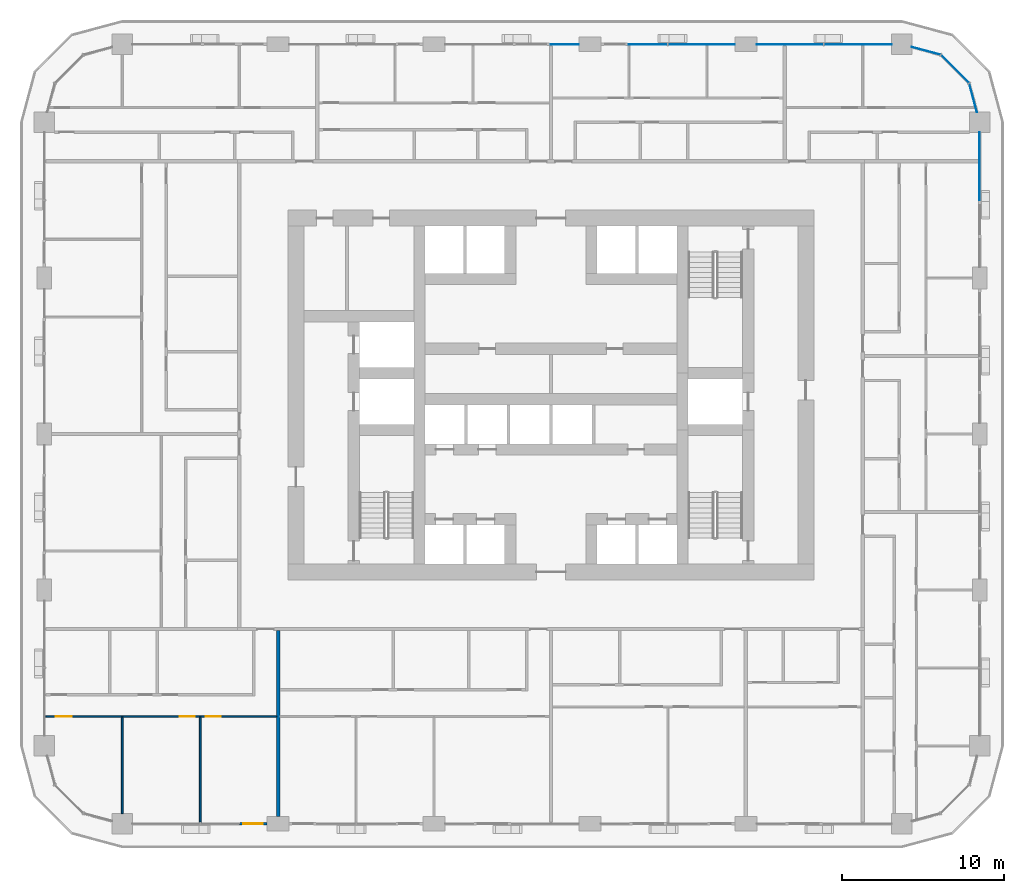
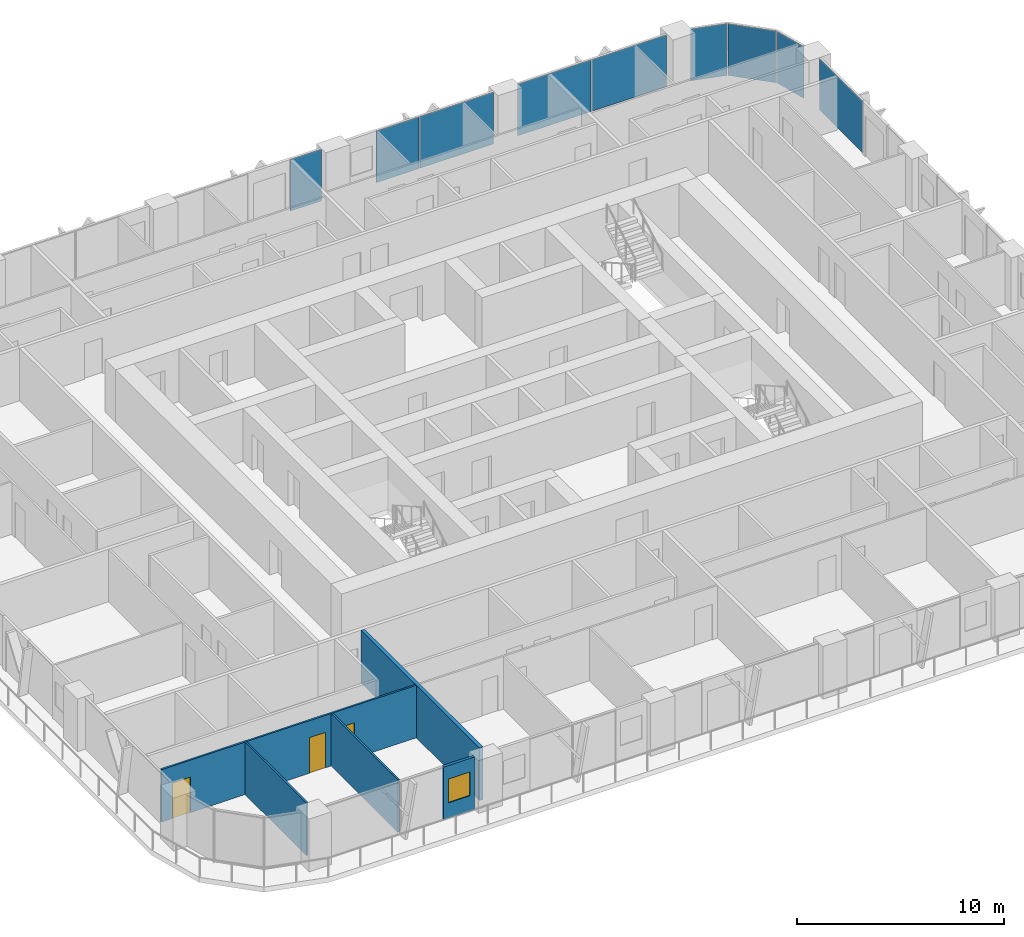
# One storey, part 8 of 21: 9 plates, 5 walls, 3 doors, 1 window, 4 openings, 5 elements without a shape of their own.
"""IFC4 building model written with IfcOpenShell, lengths in metres."""

from ifc_helpers import new_model, si_unit, direction, frame, frame_2d, origin, origin_2d, place, context, subcontext, project, spatial, rectangle, extrude, material, layer, layer_set, type_object, element, fill, aggregate, save


model = new_model("IFC4")

# Units and contexts
model_context = context("Model", 3, precision=1e-05, world=origin(), true_north=direction((0.0, 1.0)))
body_context = subcontext(model_context, "Body", "Model", "MODEL_VIEW")
ifc_project = project(units=[si_unit("LENGTHUNIT", "METRE"), si_unit("AREAUNIT", "SQUARE_METRE"), si_unit("VOLUMEUNIT", "CUBIC_METRE"), si_unit("PLANEANGLEUNIT", "RADIAN"), si_unit("MASSUNIT", "GRAM", prefix="KILO")], contexts=[model_context])

# Site, building, storey
site_placement = place(None, origin())
site = spatial("IfcSite", under=ifc_project, at=site_placement, CompositionType="ELEMENT")
building_placement = place(site_placement, origin())
building = spatial("IfcBuilding", under=site, at=building_placement, Name="Madar Terraces", CompositionType="ELEMENT")
storey_placement = place(building_placement, frame((0.0, 0.0, 50.39990234375)))
storey = spatial("IfcBuildingStorey", under=building, at=storey_placement, Name="L12", CompositionType="ELEMENT", Elevation=50.39990234375)

# Curtain wall, plate
ifc_material_1 = material(Name="Glass, ceramic frit dark grey, with black aluminium frame", Category="aluminium")
ifc_layer_1 = layer(ifc_material_1, 0.199951171875)
ifc_layer_set_1 = layer_set([ifc_layer_1], Name="Facade curtain wall, fritted glass")
curtain_wall_type = type_object("IfcCurtainWallType", Name="Facade curtain wall, fritted glass", PredefinedType="NOTDEFINED", material=ifc_layer_set_1)
curtain_wall_1_placement = place(storey_placement, origin())
curtain_wall_1 = element("IfcCurtainWall", 1, at=curtain_wall_1_placement, inside=storey, type_object=curtain_wall_type, Name="Outer skin curtain wall east bay 4", PredefinedType="NOTDEFINED")
ifc_material_2 = material(Name="Glass, ceramic frit dark grey", Category="glass")
ifc_layer_2 = layer(ifc_material_2, 0.028076171875)
ifc_layer_set_2 = layer_set([ifc_layer_2], Name="Facade glass panel 28")
plate_type = type_object("IfcPlateType", Name="Facade glass panel 28", PredefinedType="CURTAIN_PANEL", material=ifc_layer_set_2)
plate_1_placement = place(storey_placement, frame((57.60009765625, 40.487548828125, 0.0), z_axis=(0.0, 0.0, 1.0), x_axis=(0.0, 1.0, 0.0)))
plate_1 = element("IfcPlate", 2, at=plate_1_placement, type_object=plate_type, Name="Panel 2", PredefinedType="CURTAIN_PANEL", context=body_context, shape_type="SweptSolid", body=[
    extrude(rectangle(XDim=4.175048828125, YDim=0.028076171875, at=origin_2d()), origin(), (0.0, 0.0, 1.0), 3.0400390625),
])
aggregate(curtain_wall_1, [plate_1])

# Curtain wall, plates
curtain_wall_2_placement = place(storey_placement, origin())
curtain_wall_2 = element("IfcCurtainWall", 3, at=curtain_wall_2_placement, inside=storey, type_object=curtain_wall_type, Name="Outer skin curtain wall north bay 1", PredefinedType="NOTDEFINED")
plate_2_placement = place(storey_placement, frame((50.1025390625, 48.0, 0.0), z_axis=(0.0, 0.0, 1.0), x_axis=(-1.0, 0.0, 0.0)))
plate_2 = element("IfcPlate", 4, at=plate_2_placement, type_object=plate_type, Name="Panel 1", PredefinedType="CURTAIN_PANEL", context=body_context, shape_type="SweptSolid", body=[
    extrude(rectangle(XDim=4.14501953125, YDim=0.028076171875, at=origin_2d()), origin(), (0.0, 0.0, 1.0), 3.0400390625),
])
plate_3_placement = place(storey_placement, frame((45.922607421875, 48.0, 0.0), z_axis=(0.0, 0.0, 1.0), x_axis=(-1.0, 0.0, 0.0)))
plate_3 = element("IfcPlate", 5, at=plate_3_placement, type_object=plate_type, Name="Panel 2", PredefinedType="CURTAIN_PANEL", context=body_context, shape_type="SweptSolid", body=[
    extrude(rectangle(XDim=4.094970703125, YDim=0.028076171875, at=origin_2d()), origin(), (0.0, 0.0, 1.0), 3.0400390625),
])
aggregate(curtain_wall_2, [plate_2, plate_3])

curtain_wall_3_placement = place(storey_placement, origin())
curtain_wall_3 = element("IfcCurtainWall", 6, at=curtain_wall_3_placement, inside=storey, type_object=curtain_wall_type, Name="Outer skin curtain wall north bay 2", PredefinedType="NOTDEFINED")
plate_4_placement = place(storey_placement, frame((40.4775390625, 48.0, 0.0), z_axis=(0.0, 0.0, 1.0), x_axis=(-1.0, 0.0, 0.0)))
plate_4 = element("IfcPlate", 7, at=plate_4_placement, type_object=plate_type, Name="Panel 1", PredefinedType="CURTAIN_PANEL", context=body_context, shape_type="SweptSolid", body=[
    extrude(rectangle(XDim=4.094970703125, YDim=0.028076171875, at=origin_2d()), origin(), (0.0, 0.0, 1.0), 3.0400390625),
])
plate_5_placement = place(storey_placement, frame((37.18505859375, 48.0, 0.0), z_axis=(0.0, 0.0, 1.0), x_axis=(-1.0, 0.0, 0.0)))
plate_5 = element("IfcPlate", 8, at=plate_5_placement, type_object=plate_type, Name="Panel 2", PredefinedType="CURTAIN_PANEL", context=body_context, shape_type="SweptSolid", body=[
    extrude(rectangle(XDim=2.3701171875, YDim=0.028076171875, at=origin_2d()), origin(), (0.0, 0.0, 1.0), 3.0400390625),
])
aggregate(curtain_wall_3, [plate_4, plate_5])

# Curtain wall, plate
curtain_wall_4_placement = place(storey_placement, origin())
curtain_wall_4 = element("IfcCurtainWall", 9, at=curtain_wall_4_placement, inside=storey, type_object=curtain_wall_type, Name="Outer skin curtain wall north bay 3", PredefinedType="NOTDEFINED")
plate_6_placement = place(storey_placement, frame((32.0625, 48.0, 0.0), z_axis=(0.0, 0.0, 1.0), x_axis=(-1.0, 0.0, 0.0)))
plate_6 = element("IfcPlate", 10, at=plate_6_placement, type_object=plate_type, Name="Panel 1", PredefinedType="CURTAIN_PANEL", context=body_context, shape_type="SweptSolid", body=[
    extrude(rectangle(XDim=1.72509765625, YDim=0.028076171875, at=origin_2d()), origin(), (0.0, 0.0, 1.0), 3.0400390625),
])
aggregate(curtain_wall_4, [plate_6])

# Curtain wall, plates
curtain_wall_5_placement = place(storey_placement, origin())
curtain_wall_5 = element("IfcCurtainWall", 11, at=curtain_wall_5_placement, inside=storey, type_object=curtain_wall_type, Name="Outer skin curtain wall north-east corner", PredefinedType="NOTDEFINED")
plate_7_placement = place(storey_placement, frame((57.19873046875, 44.697998046875, 0.0), z_axis=(0.0, 0.0, 1.0), x_axis=(-0.258819021888, 0.965925832509, 0.0)))
plate_7 = element("IfcPlate", 12, at=plate_7_placement, type_object=plate_type, Name="Panel 1", PredefinedType="CURTAIN_PANEL", context=body_context, shape_type="SweptSolid", body=[
    extrude(rectangle(XDim=1.8076171875, YDim=0.028076171875, at=origin_2d()), origin(), (0.0, 0.0, 1.0), 3.0400390625),
])
plate_8_placement = place(storey_placement, frame((56.078369140625, 46.478515625, 0.0), z_axis=(0.0, 0.0, 1.0), x_axis=(-0.707106781187, 0.707106781187, 0.0)))
plate_8 = element("IfcPlate", 13, at=plate_8_placement, type_object=plate_type, Name="Panel 2", PredefinedType="CURTAIN_PANEL", context=body_context, shape_type="SweptSolid", body=[
    extrude(rectangle(XDim=2.424560546875, YDim=0.028076171875, at=origin_2d()), origin(), (0.0, 0.0, 1.0), 3.0400390625),
])
plate_9_placement = place(storey_placement, frame((54.298095703125, 47.5986328125, 0.0), z_axis=(0.0, 0.0, 1.0), x_axis=(-0.965925832509, 0.258819021888, 0.0)))
plate_9 = element("IfcPlate", 14, at=plate_9_placement, type_object=plate_type, Name="Panel 3", PredefinedType="CURTAIN_PANEL", context=body_context, shape_type="SweptSolid", body=[
    extrude(rectangle(XDim=1.8076171875, YDim=0.028076171875, at=origin_2d()), origin(), (0.0, 0.0, 1.0), 3.0400390625),
])
aggregate(curtain_wall_5, [plate_7, plate_8, plate_9])

# Wall, opening, window
ifc_material_3 = material(Name="Aluminium composite panel, black, over insulated backing", Category="aluminium")
ifc_layer_3 = layer(ifc_material_3, 0.14990234375)
ifc_layer_set_3 = layer_set([ifc_layer_3], Name="Facade bay panel 150")
wall_type_1 = type_object("IfcWallType", Name="Facade bay panel 150", PredefinedType="SOLIDWALL", material=ifc_layer_set_3)
wall_1_placement = place(storey_placement, frame((12.0, 0.0, 0.0), z_axis=(0.0, 0.0, 1.0), x_axis=(1.0, 0.0, 0.0)))
wall_1 = element("IfcWall", 15, at=wall_1_placement, inside=storey, type_object=wall_type_1, Name="Facade bay panel", PredefinedType="SOLIDWALL", context=body_context, shape_type="SweptSolid", body=[
    extrude(rectangle(XDim=1.72509765625, YDim=0.14990234375, at=frame_2d((0.862548828125, 0.0))), origin(), (0.0, 0.0, 1.0), 3.10009765625),
])
opening_1_placement = place(wall_1_placement, frame((0.262451171875, 0.0, 0.89990234375)))
opening_1 = element("IfcOpeningElement", 16, at=opening_1_placement, cuts=wall_1, Name="Opening W1", PredefinedType="OPENING", context=body_context, shape_type="SweptSolid", body=[
    extrude(rectangle(XDim=1.199951171875, YDim=1.39990234375, at=frame_2d((0.60009765625, 0.699951171875))), frame((0.0, 0.0849609375, 0.0), z_axis=(0.0, -1.0, 0.0), x_axis=(1.0, 0.0, 0.0)), (0.0, 0.0, 1.0), 0.169921875),
])
ifc_material_4 = material(Name="Glass, clear, with black aluminium frame", Category="aluminium")
window_type = type_object("IfcWindowType", Name="Vent window 1200 x 1400", PartitioningType="SINGLE_PANEL", PredefinedType="WINDOW", material=ifc_material_4)
window_placement = place(opening_1_placement, origin())
window = element("IfcWindow", 17, at=window_placement, inside=storey, type_object=window_type, Name="Operable vent window", OverallHeight=1.39990234375, OverallWidth=1.199951171875, PartitioningType="SINGLE_PANEL", PredefinedType="WINDOW", context=body_context, shape_type="SweptSolid", body=[
    extrude(rectangle(XDim=1.199951171875, YDim=1.39990234375, at=frame_2d((0.60009765625, 0.699951171875))), frame((0.0, 0.030029296875, 0.0), z_axis=(0.0, -1.0, 0.0), x_axis=(1.0, 0.0, 0.0)), (0.0, 0.0, 1.0), 0.06005859375),
])
fill(opening_1, window)

# Walls
ifc_material_5 = material(Name="Gypsum board on steel studs", Category="steel")
ifc_layer_4 = layer(ifc_material_5, 0.10009765625)
ifc_layer_set_4 = layer_set([ifc_layer_4], Name="Flat partition 100")
wall_type_2 = type_object("IfcWallType", Name="Flat partition 100", PredefinedType="PARTITIONING", material=ifc_layer_set_4)
wall_2_placement = place(storey_placement, frame((9.60009765625, 6.550048828125, 0.0), z_axis=(0.0, 0.0, 1.0), x_axis=(0.0, -1.0, 0.0)))
element("IfcWall", 18, at=wall_2_placement, inside=storey, type_object=wall_type_2, Name="Flat partition 100", PredefinedType="PARTITIONING", context=body_context, shape_type="SweptSolid", body=[
    extrude(rectangle(XDim=6.449951171875, YDim=0.10009765625, at=frame_2d((3.22509765625, 0.0))), origin(), (0.0, 0.0, 1.0), 3.10009765625),
])
wall_3_placement = place(storey_placement, frame((4.800048828125, 6.550048828125, 0.0), z_axis=(0.0, 0.0, 1.0), x_axis=(0.0, -1.0, 0.0)))
element("IfcWall", 19, at=wall_3_placement, inside=storey, type_object=wall_type_2, Name="Flat partition 100", PredefinedType="PARTITIONING", context=body_context, shape_type="SweptSolid", body=[
    extrude(rectangle(XDim=5.925048828125, YDim=0.10009765625, at=frame_2d((2.96240234375, 0.0))), origin(), (0.0, 0.0, 1.0), 3.10009765625),
])

# Wall, openings, doors
wall_4_placement = place(storey_placement, frame((14.300048828125, 6.60009765625, 0.0), z_axis=(0.0, 0.0, 1.0), x_axis=(-1.0, 0.0, 0.0)))
wall_4 = element("IfcWall", 20, at=wall_4_placement, inside=storey, type_object=wall_type_2, Name="Flat partition 100", PredefinedType="PARTITIONING", context=body_context, shape_type="SweptSolid", body=[
    extrude(rectangle(XDim=14.199951171875, YDim=0.10009765625, at=frame_2d((7.10009765625, 0.0))), origin(), (0.0, 0.0, 1.0), 3.10009765625),
])
opening_2_placement = place(wall_4_placement, frame((3.449951171875, 0.0, 0.0)))
opening_2 = element("IfcOpeningElement", 21, at=opening_2_placement, cuts=wall_4, Name="Opening D2", PredefinedType="OPENING", context=body_context, shape_type="SweptSolid", body=[
    extrude(rectangle(XDim=0.89990234375, YDim=2.10009765625, at=frame_2d((0.449951171875, 1.050048828125))), frame((0.0, 0.06005859375, 0.0), z_axis=(0.0, -1.0, 0.0), x_axis=(1.0, 0.0, 0.0)), (0.0, 0.0, 1.0), 0.1201171875),
])
opening_3_placement = place(wall_4_placement, frame((5.050048828125, 0.0, 0.0)))
opening_3 = element("IfcOpeningElement", 22, at=opening_3_placement, cuts=wall_4, Name="Opening D2", PredefinedType="OPENING", context=body_context, shape_type="SweptSolid", body=[
    extrude(rectangle(XDim=0.89990234375, YDim=2.10009765625, at=frame_2d((0.449951171875, 1.050048828125))), frame((0.0, 0.06005859375, 0.0), z_axis=(0.0, -1.0, 0.0), x_axis=(1.0, 0.0, 0.0)), (0.0, 0.0, 1.0), 0.1201171875),
])
opening_4_placement = place(wall_4_placement, frame((12.60009765625, 0.0, 0.0)))
opening_4 = element("IfcOpeningElement", 23, at=opening_4_placement, cuts=wall_4, Name="Opening D3", PredefinedType="OPENING", context=body_context, shape_type="SweptSolid", body=[
    extrude(rectangle(XDim=1.0, YDim=2.10009765625, at=frame_2d((0.5, 1.050048828125))), frame((0.0, 0.06005859375, 0.0), z_axis=(0.0, -1.0, 0.0), x_axis=(1.0, 0.0, 0.0)), (0.0, 0.0, 1.0), 0.1201171875),
])
ifc_material_6 = material(Name="Timber door leaf", Category="wood")
door_type_1 = type_object("IfcDoorType", Name="Flat living room door 1000", OperationType="NOTDEFINED", PredefinedType="DOOR", material=ifc_material_6)
door_1_placement = place(opening_4_placement, origin())
door_1 = element("IfcDoor", 24, at=door_1_placement, inside=storey, type_object=door_type_1, Name="Flat living room door 1000", OperationType="SINGLE_SWING_RIGHT", OverallHeight=2.10009765625, OverallWidth=1.0, PredefinedType="DOOR", context=body_context, shape_type="SweptSolid", body=[
    extrude(rectangle(XDim=1.0, YDim=2.10009765625, at=frame_2d((0.5, 1.050048828125))), frame((0.0, 0.02490234375, 0.0), z_axis=(0.0, -1.0, 0.0), x_axis=(1.0, 0.0, 0.0)), (0.0, 0.0, 1.0), 0.050048828125),
])
fill(opening_4, door_1)
ifc_material_7 = material(Name="Timber door leaf", Category="wood")
door_type_2 = type_object("IfcDoorType", Name="Flat room door 900", OperationType="NOTDEFINED", PredefinedType="DOOR", material=ifc_material_7)
door_2_placement = place(opening_2_placement, origin())
door_2 = element("IfcDoor", 25, at=door_2_placement, inside=storey, type_object=door_type_2, Name="Flat room door 900", OperationType="SINGLE_SWING_RIGHT", OverallHeight=2.10009765625, OverallWidth=0.89990234375, PredefinedType="DOOR", context=body_context, shape_type="SweptSolid", body=[
    extrude(rectangle(XDim=0.89990234375, YDim=2.10009765625, at=frame_2d((0.449951171875, 1.050048828125))), frame((0.0, 0.02490234375, 0.0), z_axis=(0.0, -1.0, 0.0), x_axis=(1.0, 0.0, 0.0)), (0.0, 0.0, 1.0), 0.050048828125),
])
fill(opening_2, door_2)
door_3_placement = place(opening_3_placement, origin())
door_3 = element("IfcDoor", 26, at=door_3_placement, inside=storey, type_object=door_type_2, Name="Flat room door 900", OperationType="SINGLE_SWING_LEFT", OverallHeight=2.10009765625, OverallWidth=0.89990234375, PredefinedType="DOOR", context=body_context, shape_type="SweptSolid", body=[
    extrude(rectangle(XDim=0.89990234375, YDim=2.10009765625, at=frame_2d((0.449951171875, 1.050048828125))), frame((0.0, 0.02490234375, 0.0), z_axis=(0.0, -1.0, 0.0), x_axis=(1.0, 0.0, 0.0)), (0.0, 0.0, 1.0), 0.050048828125),
])
fill(opening_3, door_3)

# Wall
ifc_material_8 = material(Name="Lightweight blockwork", Category="masonry")
ifc_layer_5 = layer(ifc_material_8, 0.199951171875)
ifc_layer_set_5 = layer_set([ifc_layer_5], Name="Flat party and entrance wall 200")
wall_type_3 = type_object("IfcWallType", Name="Flat party and entrance wall 200", PredefinedType="PARTITIONING", material=ifc_layer_set_5)
wall_5_placement = place(storey_placement, frame((14.39990234375, 11.89990234375, 0.0), z_axis=(0.0, 0.0, 1.0), x_axis=(0.0, -1.0, 0.0)))
element("IfcWall", 27, at=wall_5_placement, inside=storey, type_object=wall_type_3, Name="Flat party and entrance wall 200", PredefinedType="PARTITIONING", context=body_context, shape_type="SweptSolid", body=[
    extrude(rectangle(XDim=11.449951171875, YDim=0.199951171875, at=frame_2d((5.72509765625, 0.0))), origin(), (0.0, 0.0, 1.0), 3.10009765625),
])

save(model, "model.ifc")
